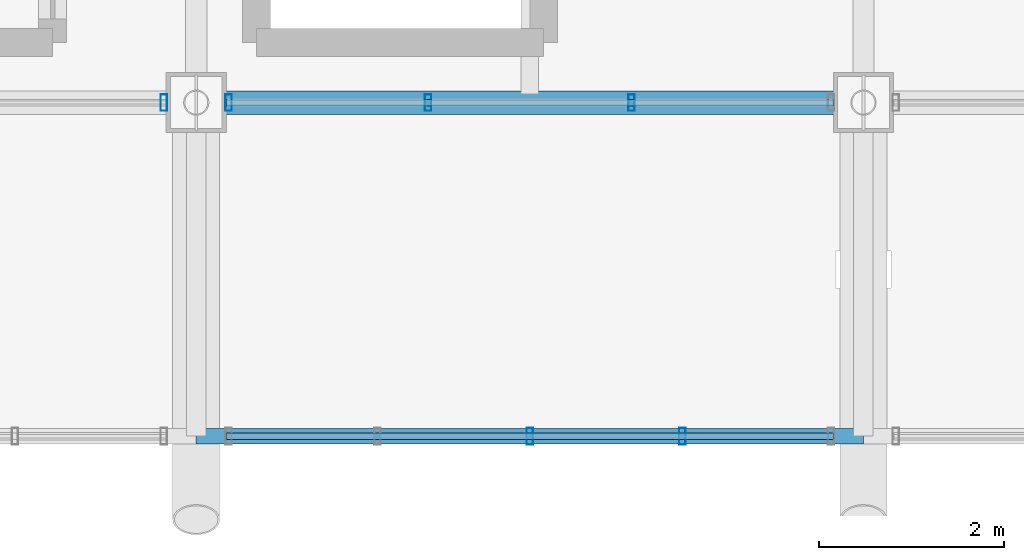
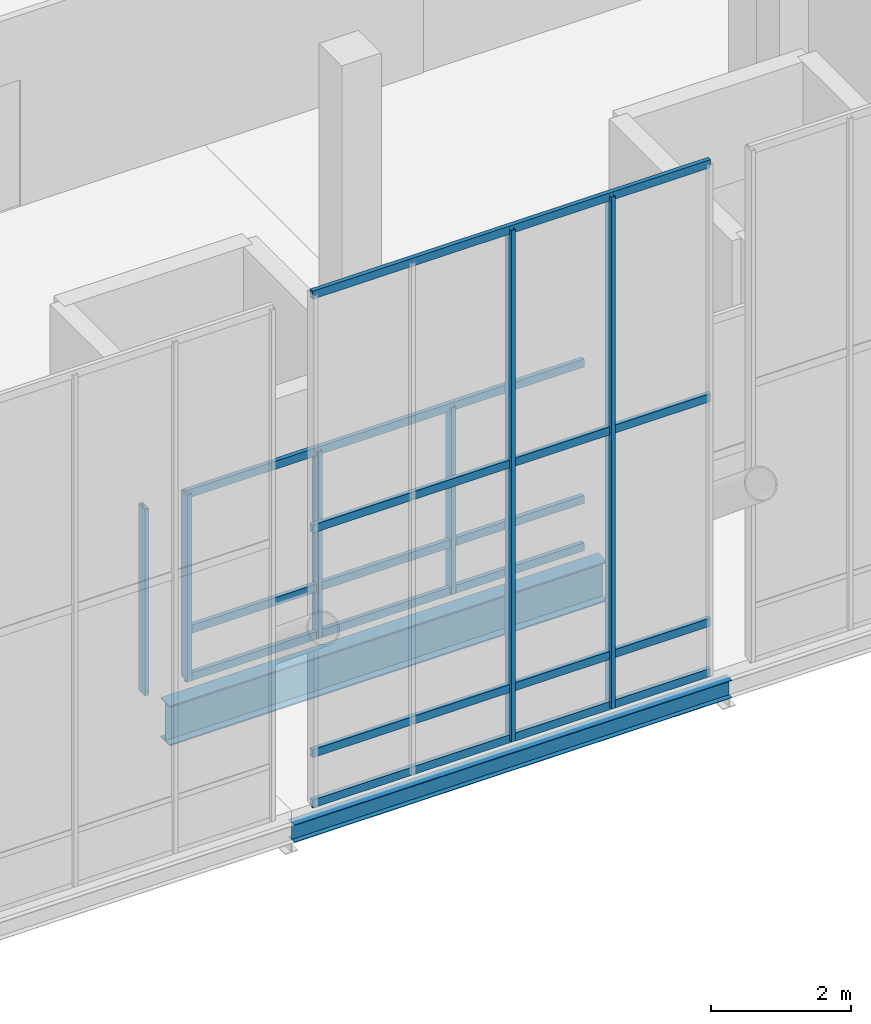
# One storey, part 46 of 102: 13 members, 2 beams, 3 elements without a shape of their own.
"""IFC4 building model written with IfcOpenShell, lengths in metres."""

from ifc_helpers import new_model, si_unit, direction, frame, origin, origin_2d, place, context, subcontext, project, spatial, hollow_rectangle, i_section, extrude, material, material_profile, profile_set, type_object, element, aggregate, save


model = new_model("IFC4")

# Units and contexts
model_context = context("Model", 3, precision=1e-05, world=origin(), true_north=direction((0.0, 1.0)))
body_context = subcontext(model_context, "Body", "Model", "MODEL_VIEW")
ifc_project = project(units=[si_unit("LENGTHUNIT", "METRE"), si_unit("AREAUNIT", "SQUARE_METRE"), si_unit("VOLUMEUNIT", "CUBIC_METRE"), si_unit("PLANEANGLEUNIT", "RADIAN"), si_unit("MASSUNIT", "GRAM", prefix="KILO")], contexts=[model_context])

# Site, building, storey
site_placement = place(None, origin())
site = spatial("IfcSite", under=ifc_project, at=site_placement, CompositionType="ELEMENT")
building_placement = place(site_placement, origin())
building = spatial("IfcBuilding", under=site, at=building_placement, Name="Yarey Park Central Fire Station", CompositionType="ELEMENT")
storey_placement = place(building_placement, frame((0.0, 0.0, 6.0)))
storey = spatial("IfcBuildingStorey", under=building, at=storey_placement, Name="L02", CompositionType="ELEMENT", Elevation=6.0)

# Curtain wall, members
ifc_material_1 = material(Name="Anodized Aluminium Frame", Category="aluminium")
curtain_wall_type_1 = type_object("IfcCurtainWallType", Name="ENV_CW_CLER_9M", PredefinedType="NOTDEFINED", material=ifc_material_1)
curtain_wall_1_placement = place(storey_placement, origin())
curtain_wall_1 = element("IfcCurtainWall", 1, at=curtain_wall_1_placement, inside=storey, type_object=curtain_wall_type_1, Name="CW_V2_CLER_N_10", PredefinedType="NOTDEFINED")
ifc_material_profile_1 = material_profile(ifc_material_1, hollow_rectangle(XDim=0.070068359375, YDim=0.179931640625, WallThickness=0.00390625, at=origin_2d()), Name="ALU 180x70x4")
ifc_profile_set_1 = profile_set([ifc_material_profile_1], Name="Anodized Aluminium Frame")
member_type_1 = type_object("IfcMemberType", Name="ENV_CW_MULLION", PredefinedType="MULLION", material=ifc_profile_set_1)
member_1_placement = place(storey_placement, frame((127.64501953125, 90.0, 0.0), z_axis=(0.0, 0.0, 1.0), x_axis=(1.0, 0.0, 0.0)))
member_1 = element("IfcMember", 2, at=member_1_placement, type_object=member_type_1, Name="CW_V2_CLER_N_10_MUL2", PredefinedType="MULLION", context=body_context, shape_type="SweptSolid", body=[
    extrude(hollow_rectangle(XDim=0.070068359375, YDim=0.179931640625, WallThickness=0.00390625, at=origin_2d()), origin(), (0.0, 0.0, 1.0), 8.89990234375),
])
member_2_placement = place(storey_placement, frame((126.0, 90.0, 0.0), z_axis=(0.0, 0.0, 1.0), x_axis=(1.0, 0.0, 0.0)))
member_2 = element("IfcMember", 3, at=member_2_placement, type_object=member_type_1, Name="CW_V2_CLER_N_10_MUL3", PredefinedType="MULLION", context=body_context, shape_type="SweptSolid", body=[
    extrude(hollow_rectangle(XDim=0.070068359375, YDim=0.179931640625, WallThickness=0.00390625, at=origin_2d()), origin(), (0.0, 0.0, 1.0), 8.89990234375),
])

# Curtain wall, member
curtain_wall_type_2 = type_object("IfcCurtainWallType", Name="ENV_CW_HQ_L02", PredefinedType="NOTDEFINED", material=ifc_material_1)
curtain_wall_2_placement = place(storey_placement, origin())
curtain_wall_2 = element("IfcCurtainWall", 4, at=curtain_wall_2_placement, inside=storey, type_object=curtain_wall_type_2, Name="CW_L02_V4_S_1", PredefinedType="NOTDEFINED")
member_3_placement = place(storey_placement, frame((122.050048828125, 93.60009765625, 0.0), z_axis=(0.0, 0.0, 1.0), x_axis=(1.0, 0.0, 0.0)))
member_3 = element("IfcMember", 5, at=member_3_placement, type_object=member_type_1, Name="CW_L02_V4_S_1_MUL4", PredefinedType="MULLION", context=body_context, shape_type="SweptSolid", body=[
    extrude(hollow_rectangle(XDim=0.070068359375, YDim=0.179931640625, WallThickness=0.00390625, at=origin_2d()), origin(), (0.0, 0.0, 1.0), 3.2470703125),
])
aggregate(curtain_wall_2, [member_3])

# Curtain wall, members
curtain_wall_3_placement = place(storey_placement, origin())
curtain_wall_3 = element("IfcCurtainWall", 6, at=curtain_wall_3_placement, inside=storey, type_object=curtain_wall_type_2, Name="CW_L02_V4_S_2", PredefinedType="NOTDEFINED")
member_4_placement = place(storey_placement, frame((122.75, 93.60009765625, 0.0), z_axis=(0.0, 0.0, 1.0), x_axis=(1.0, 0.0, 0.0)))
member_4 = element("IfcMember", 7, at=member_4_placement, type_object=member_type_1, Name="CW_L02_V4_S_2_MUL1", PredefinedType="MULLION", context=body_context, shape_type="SweptSolid", body=[
    extrude(hollow_rectangle(XDim=0.070068359375, YDim=0.179931640625, WallThickness=0.00390625, at=origin_2d()), origin(), (0.0, 0.0, 1.0), 3.2470703125),
])
member_5_placement = place(storey_placement, frame((124.9033203125, 93.60009765625, 0.0), z_axis=(0.0, 0.0, 1.0), x_axis=(1.0, 0.0, 0.0)))
member_5 = element("IfcMember", 8, at=member_5_placement, type_object=member_type_1, Name="CW_L02_V4_S_2_MUL2", PredefinedType="MULLION", context=body_context, shape_type="SweptSolid", body=[
    extrude(hollow_rectangle(XDim=0.070068359375, YDim=0.179931640625, WallThickness=0.00390625, at=origin_2d()), origin(), (0.0, 0.0, 1.0), 3.2470703125),
])
member_6_placement = place(storey_placement, frame((127.0966796875, 93.60009765625, 0.0), z_axis=(0.0, 0.0, 1.0), x_axis=(1.0, 0.0, 0.0)))
member_6 = element("IfcMember", 9, at=member_6_placement, type_object=member_type_1, Name="CW_L02_V4_S_2_MUL3", PredefinedType="MULLION", context=body_context, shape_type="SweptSolid", body=[
    extrude(hollow_rectangle(XDim=0.070068359375, YDim=0.179931640625, WallThickness=0.00390625, at=origin_2d()), origin(), (0.0, 0.0, 1.0), 3.2470703125),
])

# Member
ifc_material_profile_2 = material_profile(ifc_material_1, hollow_rectangle(XDim=0.070068359375, YDim=0.139892578125, WallThickness=0.00390625, at=origin_2d()), Name="ALU 140x70x4")
ifc_profile_set_2 = profile_set([ifc_material_profile_2], Name="Anodized Aluminium Frame")
member_type_2 = type_object("IfcMemberType", Name="ENV_CW_TRANSOM", PredefinedType="USERDEFINED", material=ifc_profile_set_2)
member_7_placement = place(storey_placement, frame((129.27490234375, 90.0, 0.02490234375), z_axis=(-1.0, 0.0, 0.0), x_axis=(0.0, -1.0, 0.0)))
member_7 = element("IfcMember", 10, at=member_7_placement, type_object=member_type_2, Name="CW_V2_CLER_N_10_TRN1", ObjectType="TRANSOM", PredefinedType="USERDEFINED", context=body_context, shape_type="SweptSolid", body=[
    extrude(hollow_rectangle(XDim=0.070068359375, YDim=0.139892578125, WallThickness=0.00390625, at=origin_2d()), origin(), (0.0, 0.0, 1.0), 6.5498046875),
])

member_8_placement = place(storey_placement, frame((129.27490234375, 90.0, 0.89990234375), z_axis=(-1.0, 0.0, 0.0), x_axis=(0.0, -1.0, 0.0)))
member_8 = element("IfcMember", 11, at=member_8_placement, type_object=member_type_2, Name="CW_V2_CLER_N_10_TRN2", ObjectType="TRANSOM", PredefinedType="USERDEFINED", context=body_context, shape_type="SweptSolid", body=[
    extrude(hollow_rectangle(XDim=0.070068359375, YDim=0.139892578125, WallThickness=0.00390625, at=origin_2d()), origin(), (0.0, 0.0, 1.0), 6.5498046875),
])

member_9_placement = place(storey_placement, frame((129.27490234375, 90.0, 4.805908203125), z_axis=(-1.0, 0.0, 0.0), x_axis=(0.0, -1.0, 0.0)))
member_9 = element("IfcMember", 12, at=member_9_placement, type_object=member_type_2, Name="CW_V2_CLER_N_10_TRN3", ObjectType="TRANSOM", PredefinedType="USERDEFINED", context=body_context, shape_type="SweptSolid", body=[
    extrude(hollow_rectangle(XDim=0.070068359375, YDim=0.139892578125, WallThickness=0.00390625, at=origin_2d()), origin(), (0.0, 0.0, 1.0), 6.5498046875),
])

member_10_placement = place(storey_placement, frame((129.27490234375, 90.0, 8.875), z_axis=(-1.0, 0.0, 0.0), x_axis=(0.0, -1.0, 0.0)))
member_10 = element("IfcMember", 13, at=member_10_placement, type_object=member_type_2, Name="CW_V2_CLER_N_10_TRN4", ObjectType="TRANSOM", PredefinedType="USERDEFINED", context=body_context, shape_type="SweptSolid", body=[
    extrude(hollow_rectangle(XDim=0.070068359375, YDim=0.139892578125, WallThickness=0.00390625, at=origin_2d()), origin(), (0.0, 0.0, 1.0), 6.5498046875),
])

aggregate(curtain_wall_1, [member_1, member_2, member_7, member_8, member_9, member_10])

member_11_placement = place(storey_placement, frame((122.72509765625, 93.60009765625, 0.02490234375), z_axis=(1.0, 0.0, 0.0), x_axis=(0.0, 1.0, 0.0)))
member_11 = element("IfcMember", 14, at=member_11_placement, type_object=member_type_2, Name="CW_L02_V4_S_2_TRN1", ObjectType="TRANSOM", PredefinedType="USERDEFINED", context=body_context, shape_type="SweptSolid", body=[
    extrude(hollow_rectangle(XDim=0.070068359375, YDim=0.139892578125, WallThickness=0.00390625, at=origin_2d()), origin(), (0.0, 0.0, 1.0), 6.5498046875),
])

member_12_placement = place(storey_placement, frame((122.72509765625, 93.60009765625, 0.85009765625), z_axis=(1.0, 0.0, 0.0), x_axis=(0.0, 1.0, 0.0)))
member_12 = element("IfcMember", 15, at=member_12_placement, type_object=member_type_2, Name="CW_L02_V4_S_2_TRN2", ObjectType="TRANSOM", PredefinedType="USERDEFINED", context=body_context, shape_type="SweptSolid", body=[
    extrude(hollow_rectangle(XDim=0.070068359375, YDim=0.139892578125, WallThickness=0.00390625, at=origin_2d()), origin(), (0.0, 0.0, 1.0), 6.5498046875),
])

member_13_placement = place(storey_placement, frame((122.72509765625, 93.60009765625, 3.221923828125), z_axis=(1.0, 0.0, 0.0), x_axis=(0.0, 1.0, 0.0)))
member_13 = element("IfcMember", 16, at=member_13_placement, type_object=member_type_2, Name="CW_L02_V4_S_2_TRN3", ObjectType="TRANSOM", PredefinedType="USERDEFINED", context=body_context, shape_type="SweptSolid", body=[
    extrude(hollow_rectangle(XDim=0.070068359375, YDim=0.139892578125, WallThickness=0.00390625, at=origin_2d()), origin(), (0.0, 0.0, 1.0), 6.5498046875),
])

aggregate(curtain_wall_3, [member_4, member_5, member_6, member_11, member_12, member_13])

# Beams
ifc_material_2 = material(Name="Steel ASTM A992 Gr. 50", Category="steel")
ifc_material_profile_3 = material_profile(ifc_material_2, i_section(OverallWidth=0.256103515625, OverallDepth=0.693115234375, WebThickness=0.014404296875, FlangeThickness=0.023681640625, at=origin_2d()), Name="W690x170")
ifc_profile_set_3 = profile_set([ifc_material_profile_3], Name="Steel ASTM A992 Gr. 50")
beam_type_1 = type_object("IfcBeamType", Name="STR_BM_W690", PredefinedType="BEAM", material=ifc_profile_set_3)
beam_1_placement = place(storey_placement, frame((122.39990234375, 93.60009765625, -0.631591796875), z_axis=(1.0, 0.0, 0.0), x_axis=(0.0, 1.0, 0.0)))
element("IfcBeam", 17, at=beam_1_placement, inside=storey, type_object=beam_type_1, Name="BMX L02 Y936 X1224", PredefinedType="BEAM", context=body_context, shape_type="SweptSolid", body=[
    extrude(i_section(OverallWidth=0.256103515625, OverallDepth=0.693115234375, WebThickness=0.014404296875, FlangeThickness=0.023681640625, at=origin_2d()), origin(), (0.0, 0.0, 1.0), 7.2001953125),
])
ifc_material_profile_4 = material_profile(ifc_material_2, i_section(OverallWidth=0.1650390625, OverallDepth=0.31005859375, WebThickness=0.005859375, FlangeThickness=0.009765625, at=origin_2d()), Name="W310x39")
ifc_profile_set_4 = profile_set([ifc_material_profile_4], Name="Steel ASTM A992 Gr. 50")
beam_type_2 = type_object("IfcBeamType", Name="STR_SPN_W310", PredefinedType="SPANDREL", material=ifc_profile_set_4)
beam_2_placement = place(storey_placement, frame((122.39990234375, 90.0, -0.35009765625), z_axis=(1.0, 0.0, 0.0), x_axis=(0.0, 1.0, 0.0)))
element("IfcBeam", 18, at=beam_2_placement, inside=storey, type_object=beam_type_2, Name="EAVE EDG N 09", PredefinedType="SPANDREL", context=body_context, shape_type="SweptSolid", body=[
    extrude(i_section(OverallWidth=0.1650390625, OverallDepth=0.31005859375, WebThickness=0.005859375, FlangeThickness=0.009765625, at=origin_2d()), origin(), (0.0, 0.0, 1.0), 7.2001953125),
])

save(model, "model.ifc")
